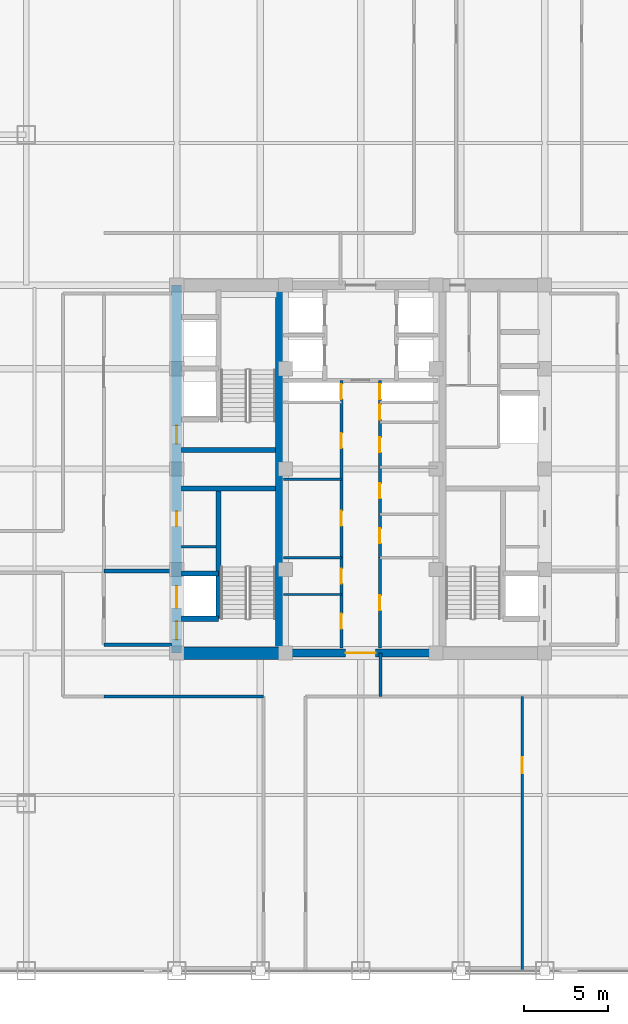
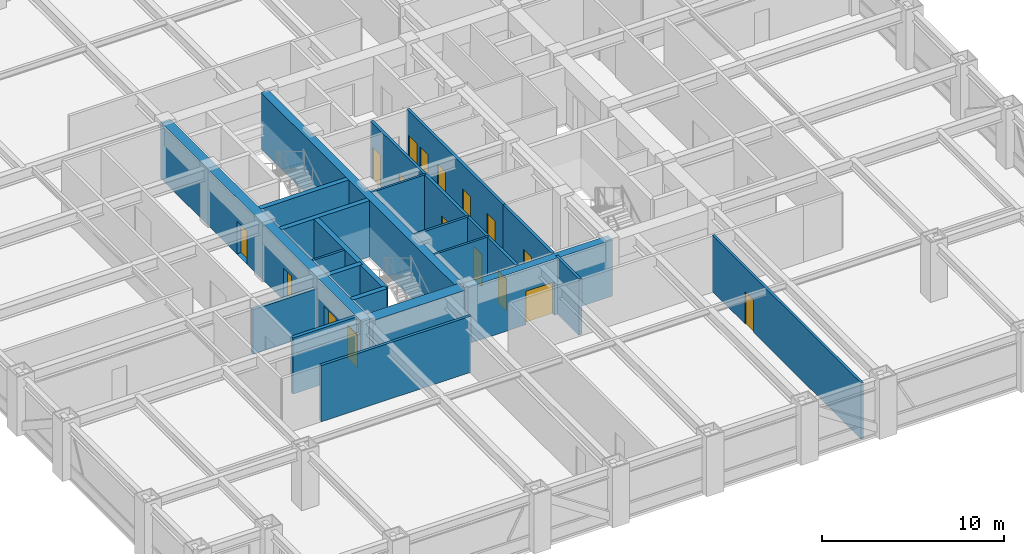
# One storey, part 20 of 24: 22 walls, 17 doors, 17 openings.
"""IFC4 building model written with IfcOpenShell, lengths in metres."""

from ifc_helpers import new_model, si_unit, direction, frame, frame_2d, origin, place, context, subcontext, project, spatial, rectangle, extrude, source, transform, mapped, material, layer, layer_set, type_object, element, fill, save


model = new_model("IFC4")

# Units and contexts
model_context = context("Model", 3, precision=1e-05, world=origin(), true_north=direction((0.0, 1.0)))
body_context = subcontext(model_context, "Body", "Model", "MODEL_VIEW")
ifc_project = project(units=[si_unit("LENGTHUNIT", "METRE"), si_unit("AREAUNIT", "SQUARE_METRE"), si_unit("VOLUMEUNIT", "CUBIC_METRE"), si_unit("PLANEANGLEUNIT", "RADIAN"), si_unit("MASSUNIT", "GRAM", prefix="KILO")], contexts=[model_context])

# Site, building, storey
site_placement = place(None, origin())
site = spatial("IfcSite", under=ifc_project, at=site_placement, CompositionType="ELEMENT")
building_placement = place(site_placement, origin())
building = spatial("IfcBuilding", under=site, at=building_placement, Name="Khorayat Bourse Tower", CompositionType="ELEMENT")
storey_placement = place(building_placement, frame((0.0, 0.0, 167.10009765625)))
storey = spatial("IfcBuildingStorey", under=building, at=storey_placement, Name="L38", CompositionType="ELEMENT", Elevation=167.10009765625)

# Wall, openings, doors
ifc_material_1 = material(Name="Concrete C60/75", Category="concrete")
ifc_layer_1 = layer(ifc_material_1, 0.60009765625)
ifc_layer_set_1 = layer_set([ifc_layer_1], Name="Concrete C60/75")
wall_type_1 = type_object("IfcWallType", Name="WAL-CORE-600", PredefinedType="SHEAR", material=ifc_layer_set_1)
shared_shape_1 = source(origin(), body_context, "Body", "SweptSolid", [
    extrude(rectangle(XDim=22.0, YDim=0.60009765625, at=frame_2d((11.0, 0.0))), origin(), (0.0, 0.0, 1.0), 3.77978515625),
])
wall_1_placement = place(storey_placement, frame((-11.0, -11.0, 0.0), z_axis=(0.0, 0.0, 1.0), x_axis=(0.0, 1.0, 0.0)))
wall_1 = element("IfcWall", 1, at=wall_1_placement, inside=storey, type_object=wall_type_1, Name="L38 Core Shear Wall CORE-W", PredefinedType="SHEAR", context=body_context, shape_type="MappedRepresentation", body=[
    mapped(shared_shape_1, transform((0.0, 0.0, 0.0), scale=1.0)),
])
shared_shape_2 = source(origin(), body_context, "Body", "SweptSolid", [
    extrude(rectangle(XDim=1.10009765625, YDim=2.199951171875, at=frame_2d((0.550048828125, 1.10009765625))), frame((0.0, 0.31005859375, 0.0), z_axis=(0.0, -1.0, 0.0), x_axis=(1.0, 0.0, 0.0)), (0.0, 0.0, 1.0), 0.6201171875),
])
opening_1_placement = place(wall_1_placement, frame((0.800048828125, 0.0, 0.0)))
opening_1 = element("IfcOpeningElement", 2, at=opening_1_placement, cuts=wall_1, Name="Opening DI-01", PredefinedType="OPENING", context=body_context, shape_type="MappedRepresentation", body=[
    mapped(shared_shape_2, transform((0.0, 0.0, 0.0), scale=1.0)),
])
opening_2_placement = place(wall_1_placement, frame((12.5, 0.0, 0.0)))
opening_2 = element("IfcOpeningElement", 3, at=opening_2_placement, cuts=wall_1, Name="Opening DI-01", PredefinedType="OPENING", context=body_context, shape_type="MappedRepresentation", body=[
    mapped(shared_shape_2, transform((0.0, 0.0, 0.0), scale=1.0)),
])
shared_shape_3 = source(origin(), body_context, "Body", "SweptSolid", [
    extrude(rectangle(XDim=0.89990234375, YDim=2.14990234375, at=frame_2d((0.449951171875, 1.074951171875))), frame((0.0, 0.31005859375, 0.0), z_axis=(0.0, -1.0, 0.0), x_axis=(1.0, 0.0, 0.0)), (0.0, 0.0, 1.0), 0.6201171875),
])
opening_3_placement = place(wall_1_placement, frame((7.574951171875, 0.0, 0.0)))
opening_3 = element("IfcOpeningElement", 4, at=opening_3_placement, cuts=wall_1, Name="Opening DI-06", PredefinedType="OPENING", context=body_context, shape_type="MappedRepresentation", body=[
    mapped(shared_shape_3, transform((0.0, 0.0, 0.0), scale=1.0)),
])
shared_shape_4 = source(origin(), body_context, "Body", "SweptSolid", [
    extrude(rectangle(XDim=1.300048828125, YDim=2.300048828125, at=frame_2d((0.64990234375, 1.14990234375))), frame((0.0, 0.31005859375, 0.0), z_axis=(0.0, -1.0, 0.0), x_axis=(1.0, 0.0, 0.0)), (0.0, 0.0, 1.0), 0.6201171875),
])
opening_4_placement = place(wall_1_placement, frame((2.699951171875, 0.0, 0.0)))
opening_4 = element("IfcOpeningElement", 5, at=opening_4_placement, cuts=wall_1, Name="Opening LD-02", PredefinedType="OPENING", context=body_context, shape_type="MappedRepresentation", body=[
    mapped(shared_shape_4, transform((0.0, 0.0, 0.0), scale=1.0)),
])
ifc_material_2 = material(Name="Fire-rated steel acoustic leaf", Category="steel")
door_type_1 = type_object("IfcDoorType", Name="DR-INT-STAIR-1100", OperationType="NOTDEFINED", PredefinedType="DOOR", material=ifc_material_2)
shared_shape_5 = source(origin(), body_context, "Body", "SweptSolid", [
    extrude(rectangle(XDim=1.10009765625, YDim=2.199951171875, at=frame_2d((0.550048828125, 1.10009765625))), frame((0.0, 0.02490234375, 0.0), z_axis=(0.0, -1.0, 0.0), x_axis=(1.0, 0.0, 0.0)), (0.0, 0.0, 1.0), 0.050048828125),
])
door_1_placement = place(opening_1_placement, origin())
door_1 = element("IfcDoor", 6, at=door_1_placement, inside=storey, type_object=door_type_1, Name="L38 Exit Stair 1 Door", OperationType="SINGLE_SWING_RIGHT", OverallHeight=2.199951171875, OverallWidth=1.10009765625, PredefinedType="DOOR", context=body_context, shape_type="MappedRepresentation", body=[
    mapped(shared_shape_5, transform((0.0, 0.0, 0.0), scale=1.0)),
])
fill(opening_1, door_1)
door_2_placement = place(opening_2_placement, origin())
door_2 = element("IfcDoor", 7, at=door_2_placement, inside=storey, type_object=door_type_1, Name="L38 Exit Stair 2 Door", OperationType="SINGLE_SWING_RIGHT", OverallHeight=2.199951171875, OverallWidth=1.10009765625, PredefinedType="DOOR", context=body_context, shape_type="MappedRepresentation", body=[
    mapped(shared_shape_5, transform((0.0, 0.0, 0.0), scale=1.0)),
])
fill(opening_2, door_2)
ifc_material_3 = material(Name="Moisture-resistant laminate washroom door")
door_type_2 = type_object("IfcDoorType", Name="DR-INT-WC-900", OperationType="NOTDEFINED", PredefinedType="DOOR", material=ifc_material_3)
shared_shape_6 = source(origin(), body_context, "Body", "SweptSolid", [
    extrude(rectangle(XDim=0.89990234375, YDim=2.14990234375, at=frame_2d((0.449951171875, 1.074951171875))), frame((0.0, 0.02490234375, 0.0), z_axis=(0.0, -1.0, 0.0), x_axis=(1.0, 0.0, 0.0)), (0.0, 0.0, 1.0), 0.050048828125),
])
door_3_placement = place(opening_3_placement, origin())
door_3 = element("IfcDoor", 8, at=door_3_placement, inside=storey, type_object=door_type_2, Name="L38 UPS Switch Plant Room Door", OperationType="SINGLE_SWING_RIGHT", OverallHeight=2.14990234375, OverallWidth=0.89990234375, PredefinedType="DOOR", context=body_context, shape_type="MappedRepresentation", body=[
    mapped(shared_shape_6, transform((0.0, 0.0, 0.0), scale=1.0)),
])
fill(opening_3, door_3)
ifc_material_4 = material(Name="Fire-rated stainless-steel sliding landing door", Category="steel")
door_type_3 = type_object("IfcDoorType", Name="DR-LIFT-FF-1300", OperationType="NOTDEFINED", PredefinedType="DOOR", material=ifc_material_4)
shared_shape_7 = source(origin(), body_context, "Body", "SweptSolid", [
    extrude(rectangle(XDim=1.300048828125, YDim=2.300048828125, at=frame_2d((0.64990234375, 1.14990234375))), frame((0.0, 0.02490234375, 0.0), z_axis=(0.0, -1.0, 0.0), x_axis=(1.0, 0.0, 0.0)), (0.0, 0.0, 1.0), 0.050048828125),
])
door_4_placement = place(opening_4_placement, origin())
door_4 = element("IfcDoor", 9, at=door_4_placement, inside=storey, type_object=door_type_3, Name="L38 Lift FFL-01 Sliding Landing Door", OperationType="SLIDING_TO_LEFT", OverallHeight=2.300048828125, OverallWidth=1.300048828125, PredefinedType="DOOR", context=body_context, shape_type="MappedRepresentation", body=[
    mapped(shared_shape_7, transform((0.0, 0.0, 0.0), scale=1.0)),
])
fill(opening_4, door_4)

# Walls
ifc_material_5 = material(Name="Concrete C52/65", Category="concrete")
ifc_layer_2 = layer(ifc_material_5, 0.5)
ifc_layer_set_2 = layer_set([ifc_layer_2], Name="Concrete C52/65")
wall_type_2 = type_object("IfcWallType", Name="WAL-CORE-500", PredefinedType="SHEAR", material=ifc_layer_set_2)
shared_shape_8 = source(origin(), body_context, "Body", "SweptSolid", [
    extrude(rectangle(XDim=21.39990234375, YDim=0.5, at=frame_2d((10.699951171875, 0.0))), origin(), (0.0, 0.0, 1.0), 3.77978515625),
])
wall_2_placement = place(storey_placement, frame((-4.85009765625, -10.699951171875, 0.0), z_axis=(0.0, 0.0, 1.0), x_axis=(0.0, 1.0, 0.0)))
element("IfcWall", 10, at=wall_2_placement, inside=storey, type_object=wall_type_2, Name="L38 Core Shear Wall PIER-W", PredefinedType="SHEAR", context=body_context, shape_type="MappedRepresentation", body=[
    mapped(shared_shape_8, transform((0.0, 0.0, 0.0), scale=1.0)),
])
ifc_material_6 = material(Name="Concrete C72/90", Category="concrete")
ifc_layer_3 = layer(ifc_material_6, 0.75)
ifc_layer_set_3 = layer_set([ifc_layer_3], Name="Concrete C72/90")
wall_type_3 = type_object("IfcWallType", Name="WAL-CORE-750", PredefinedType="SHEAR", material=ifc_layer_set_3)
shared_shape_9 = source(origin(), body_context, "Body", "SweptSolid", [
    extrude(rectangle(XDim=5.849853515625, YDim=0.75, at=frame_2d((2.9248046875, 0.0))), origin(), (0.0, 0.0, 1.0), 3.77978515625),
])
wall_3_placement = place(storey_placement, frame((-10.699951171875, -11.0, 0.0), z_axis=(0.0, 0.0, 1.0), x_axis=(1.0, 0.0, 0.0)))
element("IfcWall", 11, at=wall_3_placement, inside=storey, type_object=wall_type_3, Name="L38 Core Shear Wall PIER-WS", PredefinedType="SHEAR", context=body_context, shape_type="MappedRepresentation", body=[
    mapped(shared_shape_9, transform((0.0, 0.0, 0.0), scale=1.0)),
])
ifc_material_7 = material(Name="Concrete C50/60", Category="concrete")
ifc_layer_4 = layer(ifc_material_7, 0.300048828125)
ifc_layer_set_4 = layer_set([ifc_layer_4], Name="Concrete C50/60")
wall_type_4 = type_object("IfcWallType", Name="WAL-SHAFT-300", PredefinedType="SHEAR", material=ifc_layer_set_4)
shared_shape_10 = source(origin(), body_context, "Body", "SweptSolid", [
    extrude(rectangle(XDim=5.599853515625, YDim=0.300048828125, at=frame_2d((2.7998046875, 0.0))), origin(), (0.0, 0.0, 1.0), 3.77978515625),
])
for number, where, z_axis, x_axis, name in (
    (12, (-10.699951171875, -1.14990234375, 0.0), (0.0, 0.0, 1.0), (1.0, 0.0, 0.0), "L38 Core Shear Wall ST1-DIV"),
    (13, (-10.699951171875, 1.14990234375, 0.0), (0.0, 0.0, 1.0), (1.0, 0.0, 0.0), "L38 Core Shear Wall ST2-DIV"),
):
    element("IfcWall", number, at=place(storey_placement, frame(where, z_axis=z_axis, x_axis=x_axis)), inside=storey, type_object=wall_type_4, Name=name, PredefinedType="SHEAR", context=body_context, shape_type="MappedRepresentation", body=[
        mapped(shared_shape_10, transform((0.0, 0.0, 0.0), scale=1.0)),
    ])

# Wall, opening, door
shared_shape_11 = source(origin(), body_context, "Body", "SweptSolid", [
    extrude(rectangle(XDim=9.2001953125, YDim=0.5, at=frame_2d((4.60009765625, 0.0))), origin(), (0.0, 0.0, 1.0), 3.77978515625),
])
wall_4_placement = place(storey_placement, frame((-4.60009765625, -11.0, 0.0), z_axis=(0.0, 0.0, 1.0), x_axis=(1.0, 0.0, 0.0)))
wall_4 = element("IfcWall", 14, at=wall_4_placement, inside=storey, type_object=wall_type_2, Name="L38 Core Shear Wall CORE-S", PredefinedType="SHEAR", context=body_context, shape_type="MappedRepresentation", body=[
    mapped(shared_shape_11, transform((0.0, 0.0, 0.0), scale=1.0)),
])
shared_shape_12 = source(origin(), body_context, "Body", "SweptSolid", [
    extrude(rectangle(XDim=1.800048828125, YDim=2.25, at=frame_2d((0.89990234375, 1.125))), frame((0.0, 0.260009765625, 0.0), z_axis=(0.0, -1.0, 0.0), x_axis=(1.0, 0.0, 0.0)), (0.0, 0.0, 1.0), 0.52001953125),
])
opening_5_placement = place(wall_4_placement, frame((3.699951171875, 0.0, 0.0)))
opening_5 = element("IfcOpeningElement", 15, at=opening_5_placement, cuts=wall_4, Name="Opening DI-03", PredefinedType="OPENING", context=body_context, shape_type="MappedRepresentation", body=[
    mapped(shared_shape_12, transform((0.0, 0.0, 0.0), scale=1.0)),
])
ifc_material_8 = material(Name="Fire-rated hardwood vision-panel double leaf", Category="wood")
door_type_4 = type_object("IfcDoorType", Name="DR-INT-CORR-1800", OperationType="NOTDEFINED", PredefinedType="DOOR", material=ifc_material_8)
shared_shape_13 = source(origin(), body_context, "Body", "SweptSolid", [
    extrude(rectangle(XDim=1.800048828125, YDim=2.25, at=frame_2d((0.89990234375, 1.125))), frame((0.0, 0.02490234375, 0.0), z_axis=(0.0, -1.0, 0.0), x_axis=(1.0, 0.0, 0.0)), (0.0, 0.0, 1.0), 0.050048828125),
])
door_5_placement = place(opening_5_placement, origin())
door_5 = element("IfcDoor", 16, at=door_5_placement, inside=storey, type_object=door_type_4, Name="L38 Central Core South Passage Door", OperationType="SINGLE_SWING_LEFT", OverallHeight=2.25, OverallWidth=1.800048828125, PredefinedType="DOOR", context=body_context, shape_type="MappedRepresentation", body=[
    mapped(shared_shape_13, transform((0.0, 0.0, 0.0), scale=1.0)),
])
fill(opening_5, door_5)

# Walls
shared_shape_14 = source(origin(), body_context, "Body", "SweptSolid", [
    extrude(rectangle(XDim=7.800048828125, YDim=0.300048828125, at=frame_2d((3.89990234375, 0.0))), origin(), (0.0, 0.0, 1.0), 3.77978515625),
])
wall_5_placement = place(storey_placement, frame((-8.5, -8.949951171875, 0.0), z_axis=(0.0, 0.0, 1.0), x_axis=(0.0, 1.0, 0.0)))
element("IfcWall", 17, at=wall_5_placement, inside=storey, type_object=wall_type_4, Name="L38 Partition WAL-L38-WPIER-SP", PredefinedType="SHEAR", context=body_context, shape_type="MappedRepresentation", body=[
    mapped(shared_shape_14, transform((0.0, 0.0, 0.0), scale=1.0)),
])
shared_shape_15 = source(origin(), body_context, "Body", "SweptSolid", [
    extrude(rectangle(XDim=2.199951171875, YDim=0.300048828125, at=frame_2d((1.10009765625, 0.0))), origin(), (0.0, 0.0, 1.0), 3.77978515625),
])
for number, where, z_axis, x_axis, name in (
    (18, (-10.699951171875, -8.949951171875, 0.0), (0.0, 0.0, 1.0), (1.0, 0.0, 0.0), "L38 Partition WAL-L38-WPIER-FF1S"),
    (19, (-10.699951171875, -6.25, 0.0), (0.0, 0.0, 1.0), (1.0, 0.0, 0.0), "L38 Partition WAL-L38-WPIER-FF1N"),
):
    element("IfcWall", number, at=place(storey_placement, frame(where, z_axis=z_axis, x_axis=x_axis)), inside=storey, type_object=wall_type_4, Name=name, PredefinedType="SHEAR", context=body_context, shape_type="MappedRepresentation", body=[
        mapped(shared_shape_15, transform((0.0, 0.0, 0.0), scale=1.0)),
    ])
ifc_material_9 = material(Name="Gypsum plasterboard twin-frame partition")
ifc_layer_5 = layer(ifc_material_9, 0.14990234375)
ifc_layer_set_5 = layer_set([ifc_layer_5], Name="Gypsum plasterboard twin-frame partition")
wall_type_5 = type_object("IfcWallType", Name="WAL-PART-SUITE-150", PredefinedType="PARTITIONING", material=ifc_layer_set_5)
shared_shape_16 = source(origin(), body_context, "Body", "SweptSolid", [
    extrude(rectangle(XDim=2.050048828125, YDim=0.14990234375, at=frame_2d((1.02490234375, 0.0))), origin(), (0.0, 0.0, 1.0), 3.77978515625),
])
wall_6_placement = place(storey_placement, frame((-10.699951171875, -4.64990234375, 0.0), z_axis=(0.0, 0.0, 1.0), x_axis=(1.0, 0.0, 0.0)))
element("IfcWall", 20, at=wall_6_placement, inside=storey, type_object=wall_type_5, Name="L38 Partition WAL-L38-WSRV-S0", PredefinedType="PARTITIONING", context=body_context, shape_type="MappedRepresentation", body=[
    mapped(shared_shape_16, transform((0.0, 0.0, 0.0), scale=1.0)),
])
ifc_material_10 = material(Name="Aerated concrete blockwork", Category="masonry")
ifc_layer_6 = layer(ifc_material_10, 0.219970703125)
ifc_layer_set_6 = layer_set([ifc_layer_6], Name="Aerated concrete blockwork")
wall_type_6 = type_object("IfcWallType", Name="WAL-PART-FF-220", PredefinedType="PARTITIONING", material=ifc_layer_set_6)
shared_shape_17 = source(origin(), body_context, "Body", "SweptSolid", [
    extrude(rectangle(XDim=4.050048828125, YDim=0.219970703125, at=frame_2d((2.02490234375, 0.0))), origin(), (0.0, 0.0, 1.0), 3.77978515625),
])
wall_7_placement = place(storey_placement, frame((-15.35009765625, -10.5, 0.0), z_axis=(0.0, 0.0, 1.0), x_axis=(1.0, 0.0, 0.0)))
element("IfcWall", 21, at=wall_7_placement, inside=storey, type_object=wall_type_6, Name="L38 Partition WAL-L38-FFLW-S", PredefinedType="PARTITIONING", context=body_context, shape_type="MappedRepresentation", body=[
    mapped(shared_shape_17, transform((0.0, 0.0, 0.0), scale=1.0)),
])
shared_shape_18 = source(origin(), body_context, "Body", "SweptSolid", [
    extrude(rectangle(XDim=4.050048828125, YDim=0.219970703125, at=frame_2d((2.02490234375, 0.0))), origin(), (0.0, 0.0, 1.0), 3.0068359375),
])
wall_8_placement = place(storey_placement, frame((-15.35009765625, -6.10009765625, 0.0), z_axis=(0.0, 0.0, 1.0), x_axis=(1.0, 0.0, 0.0)))
element("IfcWall", 22, at=wall_8_placement, inside=storey, type_object=wall_type_6, Name="L38 Partition WAL-L38-FFLW-N", PredefinedType="PARTITIONING", context=body_context, shape_type="MappedRepresentation", body=[
    mapped(shared_shape_18, transform((0.0, 0.0, 0.0), scale=1.0)),
])
shared_shape_19 = source(origin(), body_context, "Body", "SweptSolid", [
    extrude(rectangle(XDim=3.4501953125, YDim=0.14990234375, at=frame_2d((1.72509765625, 0.0))), origin(), (0.0, 0.0, 1.0), 3.77978515625),
])
wall_9_placement = place(storey_placement, frame((-4.60009765625, -5.300048828125, 0.0), z_axis=(0.0, 0.0, 1.0), x_axis=(1.0, 0.0, 0.0)))
element("IfcWall", 23, at=wall_9_placement, inside=storey, type_object=wall_type_5, Name="L38 Partition WAL-L38-FB1-NW", PredefinedType="PARTITIONING", context=body_context, shape_type="MappedRepresentation", body=[
    mapped(shared_shape_19, transform((0.0, 0.0, 0.0), scale=1.0)),
])
ifc_material_11 = material(Name="Moisture-resistant masonry partition", Category="masonry")
ifc_layer_7 = layer(ifc_material_11, 0.139892578125)
ifc_layer_set_7 = layer_set([ifc_layer_7], Name="Moisture-resistant masonry partition")
wall_type_7 = type_object("IfcWallType", Name="WAL-PART-WET-140", PredefinedType="PARTITIONING", material=ifc_layer_set_7)
shared_shape_20 = source(origin(), body_context, "Body", "SweptSolid", [
    extrude(rectangle(XDim=3.4501953125, YDim=0.139892578125, at=frame_2d((1.72509765625, 0.0))), origin(), (0.0, 0.0, 1.0), 3.77978515625),
])
for number, where, z_axis, x_axis, name in (
    (24, (-4.60009765625, -7.5, 0.0), (0.0, 0.0, 1.0), (1.0, 0.0, 0.0), "L38 Partition WAL-L38-FB1W-D1"),
    (25, (-4.60009765625, -0.60009765625, 0.0), (0.0, 0.0, 1.0), (1.0, 0.0, 0.0), "L38 Partition WAL-L38-CMW-D1"),
):
    element("IfcWall", number, at=place(storey_placement, frame(where, z_axis=z_axis, x_axis=x_axis)), inside=storey, type_object=wall_type_7, Name=name, PredefinedType="PARTITIONING", context=body_context, shape_type="MappedRepresentation", body=[
        mapped(shared_shape_20, transform((0.0, 0.0, 0.0), scale=1.0)),
    ])

# Wall, openings, doors
ifc_material_12 = material(Name="Gypsum plasterboard acoustic stud wall")
ifc_layer_8 = layer(ifc_material_12, 0.179931640625)
ifc_layer_set_8 = layer_set([ifc_layer_8], Name="Gypsum plasterboard acoustic stud wall")
wall_type_8 = type_object("IfcWallType", Name="WAL-PART-CORR-180", PredefinedType="PARTITIONING", material=ifc_layer_set_8)
shared_shape_21 = source(origin(), body_context, "Body", "SweptSolid", [
    extrude(rectangle(XDim=5.39990234375, YDim=0.179931640625, at=frame_2d((2.699951171875, 0.0))), origin(), (0.0, 0.0, 1.0), 3.77978515625),
])
wall_10_placement = place(storey_placement, frame((-1.14990234375, -10.699951171875, 0.0), z_axis=(0.0, 0.0, 1.0), x_axis=(0.0, 1.0, 0.0)))
wall_10 = element("IfcWall", 26, at=wall_10_placement, inside=storey, type_object=wall_type_8, Name="L38 Partition WAL-L38-FB1W-L", PredefinedType="PARTITIONING", context=body_context, shape_type="MappedRepresentation", body=[
    mapped(shared_shape_21, transform((0.0, 0.0, 0.0), scale=1.0)),
])
shared_shape_22 = source(origin(), body_context, "Body", "SweptSolid", [
    extrude(rectangle(XDim=0.89990234375, YDim=2.14990234375, at=frame_2d((0.449951171875, 1.074951171875))), frame((0.0, 0.099853515625, 0.0), z_axis=(0.0, -1.0, 0.0), x_axis=(1.0, 0.0, 0.0)), (0.0, 0.0, 1.0), 0.199951171875),
])
opening_6_placement = place(wall_10_placement, frame((1.14990234375, 0.0, 0.0)))
opening_6 = element("IfcOpeningElement", 27, at=opening_6_placement, cuts=wall_10, Name="Opening DI-06", PredefinedType="OPENING", context=body_context, shape_type="MappedRepresentation", body=[
    mapped(shared_shape_22, transform((0.0, 0.0, 0.0), scale=1.0)),
])
opening_7_placement = place(wall_10_placement, frame((3.85009765625, 0.0, 0.0)))
opening_7 = element("IfcOpeningElement", 28, at=opening_7_placement, cuts=wall_10, Name="Opening DI-06", PredefinedType="OPENING", context=body_context, shape_type="MappedRepresentation", body=[
    mapped(shared_shape_22, transform((0.0, 0.0, 0.0), scale=1.0)),
])
door_6_placement = place(opening_6_placement, origin())
door_6 = element("IfcDoor", 29, at=door_6_placement, inside=storey, type_object=door_type_2, Name="L38 Records Vault Store Door", OperationType="SINGLE_SWING_RIGHT", OverallHeight=2.14990234375, OverallWidth=0.89990234375, PredefinedType="DOOR", context=body_context, shape_type="MappedRepresentation", body=[
    mapped(shared_shape_6, transform((0.0, 0.0, 0.0), scale=1.0)),
])
fill(opening_6, door_6)
door_7_placement = place(opening_7_placement, origin())
door_7 = element("IfcDoor", 30, at=door_7_placement, inside=storey, type_object=door_type_2, Name="L38 Sprinkler Valve Plant Room Door", OperationType="SINGLE_SWING_LEFT", OverallHeight=2.14990234375, OverallWidth=0.89990234375, PredefinedType="DOOR", context=body_context, shape_type="MappedRepresentation", body=[
    mapped(shared_shape_6, transform((0.0, 0.0, 0.0), scale=1.0)),
])
fill(opening_7, door_7)

# Wall, opening, door
wall_11_placement = place(storey_placement, frame((1.14990234375, -10.699951171875, 0.0), z_axis=(0.0, 0.0, 1.0), x_axis=(0.0, 1.0, 0.0)))
wall_11 = element("IfcWall", 31, at=wall_11_placement, inside=storey, type_object=wall_type_8, Name="L38 Partition WAL-L38-FB1E-L", PredefinedType="PARTITIONING", context=body_context, shape_type="MappedRepresentation", body=[
    mapped(shared_shape_21, transform((0.0, 0.0, 0.0), scale=1.0)),
])
opening_8_placement = place(wall_11_placement, frame((2.25, 0.0, 0.0)))
opening_8 = element("IfcOpeningElement", 32, at=opening_8_placement, cuts=wall_11, Name="Opening DI-06", PredefinedType="OPENING", context=body_context, shape_type="MappedRepresentation", body=[
    mapped(shared_shape_22, transform((0.0, 0.0, 0.0), scale=1.0)),
])
door_8_placement = place(opening_8_placement, origin())
door_8 = element("IfcDoor", 33, at=door_8_placement, inside=storey, type_object=door_type_2, Name="L38 Telemetry Server Plant Room Door", OperationType="SINGLE_SWING_RIGHT", OverallHeight=2.14990234375, OverallWidth=0.89990234375, PredefinedType="DOOR", context=body_context, shape_type="MappedRepresentation", body=[
    mapped(shared_shape_6, transform((0.0, 0.0, 0.0), scale=1.0)),
])
fill(opening_8, door_8)

# Wall, openings, doors
shared_shape_23 = source(origin(), body_context, "Body", "SweptSolid", [
    extrude(rectangle(XDim=10.60009765625, YDim=0.179931640625, at=frame_2d((5.300048828125, 0.0))), origin(), (0.0, 0.0, 1.0), 3.77978515625),
])
wall_12_placement = place(storey_placement, frame((-1.14990234375, -5.300048828125, 0.0), z_axis=(0.0, 0.0, 1.0), x_axis=(0.0, 1.0, 0.0)))
wall_12 = element("IfcWall", 34, at=wall_12_placement, inside=storey, type_object=wall_type_8, Name="L38 Partition WAL-L38-CMW-L", PredefinedType="PARTITIONING", context=body_context, shape_type="MappedRepresentation", body=[
    mapped(shared_shape_23, transform((0.0, 0.0, 0.0), scale=1.0)),
])
opening_9_placement = place(wall_12_placement, frame((1.89990234375, 0.0, 0.0)))
opening_9 = element("IfcOpeningElement", 35, at=opening_9_placement, cuts=wall_12, Name="Opening DI-06", PredefinedType="OPENING", context=body_context, shape_type="MappedRepresentation", body=[
    mapped(shared_shape_22, transform((0.0, 0.0, 0.0), scale=1.0)),
])
opening_10_placement = place(wall_12_placement, frame((6.550048828125, 0.0, 0.0)))
opening_10 = element("IfcOpeningElement", 36, at=opening_10_placement, cuts=wall_12, Name="Opening DI-06", PredefinedType="OPENING", context=body_context, shape_type="MappedRepresentation", body=[
    mapped(shared_shape_22, transform((0.0, 0.0, 0.0), scale=1.0)),
])
opening_11_placement = place(wall_12_placement, frame((9.47509765625, 0.0, 0.0)))
opening_11 = element("IfcOpeningElement", 37, at=opening_11_placement, cuts=wall_12, Name="Opening DI-06", PredefinedType="OPENING", context=body_context, shape_type="MappedRepresentation", body=[
    mapped(shared_shape_22, transform((0.0, 0.0, 0.0), scale=1.0)),
])
door_9_placement = place(opening_9_placement, origin())
door_9 = element("IfcDoor", 38, at=door_9_placement, inside=storey, type_object=door_type_2, Name="L38 Male Core Washroom Door", OperationType="SINGLE_SWING_RIGHT", OverallHeight=2.14990234375, OverallWidth=0.89990234375, PredefinedType="DOOR", context=body_context, shape_type="MappedRepresentation", body=[
    mapped(shared_shape_6, transform((0.0, 0.0, 0.0), scale=1.0)),
])
fill(opening_9, door_9)
door_10_placement = place(opening_10_placement, origin())
door_10 = element("IfcDoor", 39, at=door_10_placement, inside=storey, type_object=door_type_2, Name="L38 Chilled Water Riser Plant Room Door", OperationType="SINGLE_SWING_LEFT", OverallHeight=2.14990234375, OverallWidth=0.89990234375, PredefinedType="DOOR", context=body_context, shape_type="MappedRepresentation", body=[
    mapped(shared_shape_6, transform((0.0, 0.0, 0.0), scale=1.0)),
])
fill(opening_10, door_10)
door_11_placement = place(opening_11_placement, origin())
door_11 = element("IfcDoor", 40, at=door_11_placement, inside=storey, type_object=door_type_2, Name="L38 West Core Riser Door", OperationType="SINGLE_SWING_LEFT", OverallHeight=2.14990234375, OverallWidth=0.89990234375, PredefinedType="DOOR", context=body_context, shape_type="MappedRepresentation", body=[
    mapped(shared_shape_6, transform((0.0, 0.0, 0.0), scale=1.0)),
])
fill(opening_11, door_11)

wall_13_placement = place(storey_placement, frame((1.14990234375, -5.300048828125, 0.0), z_axis=(0.0, 0.0, 1.0), x_axis=(0.0, 1.0, 0.0)))
wall_13 = element("IfcWall", 41, at=wall_13_placement, inside=storey, type_object=wall_type_8, Name="L38 Partition WAL-L38-CME-L", PredefinedType="PARTITIONING", context=body_context, shape_type="MappedRepresentation", body=[
    mapped(shared_shape_23, transform((0.0, 0.0, 0.0), scale=1.0)),
])
opening_12_placement = place(wall_13_placement, frame((0.85009765625, 0.0, 0.0)))
opening_12 = element("IfcOpeningElement", 42, at=opening_12_placement, cuts=wall_13, Name="Opening DI-06", PredefinedType="OPENING", context=body_context, shape_type="MappedRepresentation", body=[
    mapped(shared_shape_22, transform((0.0, 0.0, 0.0), scale=1.0)),
])
opening_13_placement = place(wall_13_placement, frame((3.550048828125, 0.0, 0.0)))
opening_13 = element("IfcOpeningElement", 43, at=opening_13_placement, cuts=wall_13, Name="Opening DI-06", PredefinedType="OPENING", context=body_context, shape_type="MappedRepresentation", body=[
    mapped(shared_shape_22, transform((0.0, 0.0, 0.0), scale=1.0)),
])
opening_14_placement = place(wall_13_placement, frame((6.300048828125, 0.0, 0.0)))
opening_14 = element("IfcOpeningElement", 44, at=opening_14_placement, cuts=wall_13, Name="Opening DI-06", PredefinedType="OPENING", context=body_context, shape_type="MappedRepresentation", body=[
    mapped(shared_shape_22, transform((0.0, 0.0, 0.0), scale=1.0)),
])
opening_15_placement = place(wall_13_placement, frame((8.25, 0.0, 0.0)))
opening_15 = element("IfcOpeningElement", 45, at=opening_15_placement, cuts=wall_13, Name="Opening DI-06", PredefinedType="OPENING", context=body_context, shape_type="MappedRepresentation", body=[
    mapped(shared_shape_22, transform((0.0, 0.0, 0.0), scale=1.0)),
])
opening_16_placement = place(wall_13_placement, frame((9.47509765625, 0.0, 0.0)))
opening_16 = element("IfcOpeningElement", 46, at=opening_16_placement, cuts=wall_13, Name="Opening DI-06", PredefinedType="OPENING", context=body_context, shape_type="MappedRepresentation", body=[
    mapped(shared_shape_22, transform((0.0, 0.0, 0.0), scale=1.0)),
])
door_12_placement = place(opening_12_placement, origin())
door_12 = element("IfcDoor", 47, at=door_12_placement, inside=storey, type_object=door_type_2, Name="L38 Female Core Washroom Door", OperationType="SINGLE_SWING_RIGHT", OverallHeight=2.14990234375, OverallWidth=0.89990234375, PredefinedType="DOOR", context=body_context, shape_type="MappedRepresentation", body=[
    mapped(shared_shape_6, transform((0.0, 0.0, 0.0), scale=1.0)),
])
fill(opening_12, door_12)
door_13_placement = place(opening_13_placement, origin())
door_13 = element("IfcDoor", 48, at=door_13_placement, inside=storey, type_object=door_type_2, Name="L38 Comms Patch Room Door", OperationType="SINGLE_SWING_LEFT", OverallHeight=2.14990234375, OverallWidth=0.89990234375, PredefinedType="DOOR", context=body_context, shape_type="MappedRepresentation", body=[
    mapped(shared_shape_6, transform((0.0, 0.0, 0.0), scale=1.0)),
])
fill(opening_13, door_13)
door_14_placement = place(opening_14_placement, origin())
door_14 = element("IfcDoor", 49, at=door_14_placement, inside=storey, type_object=door_type_2, Name="L38 Janitor Cupboard Door", OperationType="SINGLE_SWING_RIGHT", OverallHeight=2.14990234375, OverallWidth=0.89990234375, PredefinedType="DOOR", context=body_context, shape_type="MappedRepresentation", body=[
    mapped(shared_shape_6, transform((0.0, 0.0, 0.0), scale=1.0)),
])
fill(opening_14, door_14)
door_15_placement = place(opening_15_placement, origin())
door_15 = element("IfcDoor", 50, at=door_15_placement, inside=storey, type_object=door_type_2, Name="L38 Fire Valve Plant Room Door", OperationType="SINGLE_SWING_LEFT", OverallHeight=2.14990234375, OverallWidth=0.89990234375, PredefinedType="DOOR", context=body_context, shape_type="MappedRepresentation", body=[
    mapped(shared_shape_6, transform((0.0, 0.0, 0.0), scale=1.0)),
])
fill(opening_15, door_15)
door_16_placement = place(opening_16_placement, origin())
door_16 = element("IfcDoor", 51, at=door_16_placement, inside=storey, type_object=door_type_2, Name="L38 East Core Riser Door", OperationType="SINGLE_SWING_RIGHT", OverallHeight=2.14990234375, OverallWidth=0.89990234375, PredefinedType="DOOR", context=body_context, shape_type="MappedRepresentation", body=[
    mapped(shared_shape_6, transform((0.0, 0.0, 0.0), scale=1.0)),
])
fill(opening_16, door_16)

# Walls
shared_shape_24 = source(origin(), body_context, "Body", "SweptSolid", [
    extrude(rectangle(XDim=2.60009765625, YDim=0.179931640625, at=frame_2d((1.300048828125, 0.0))), origin(), (0.0, 0.0, 1.0), 3.77978515625),
])
wall_14_placement = place(storey_placement, frame((1.199951171875, -13.60009765625, 0.0), z_axis=(0.0, 0.0, 1.0), x_axis=(0.0, 1.0, 0.0)))
element("IfcWall", 52, at=wall_14_placement, inside=storey, type_object=wall_type_8, Name="L38 Partition WAL-L38-C2-SCE", PredefinedType="PARTITIONING", context=body_context, shape_type="MappedRepresentation", body=[
    mapped(shared_shape_24, transform((0.0, 0.0, 0.0), scale=1.0)),
])
shared_shape_25 = source(origin(), body_context, "Body", "SweptSolid", [
    extrude(rectangle(XDim=9.550048828125, YDim=0.179931640625, at=frame_2d((4.77490234375, 0.0))), origin(), (0.0, 0.0, 1.0), 3.77978515625),
])
wall_15_placement = place(storey_placement, frame((-15.35009765625, -13.60009765625, 0.0), z_axis=(0.0, 0.0, 1.0), x_axis=(1.0, 0.0, 0.0)))
element("IfcWall", 53, at=wall_15_placement, inside=storey, type_object=wall_type_8, Name="L38 Partition WAL-L38-QSW-HC", PredefinedType="PARTITIONING", context=body_context, shape_type="MappedRepresentation", body=[
    mapped(shared_shape_25, transform((0.0, 0.0, 0.0), scale=1.0)),
])

# Wall, opening, door
shared_shape_26 = source(origin(), body_context, "Body", "SweptSolid", [
    extrude(rectangle(XDim=16.39990234375, YDim=0.14990234375, at=frame_2d((8.199951171875, 0.0))), origin(), (0.0, 0.0, 1.0), 3.77978515625),
])
wall_16_placement = place(storey_placement, frame((9.659912109375, -30.0, 0.0), z_axis=(0.0, 0.0, 1.0), x_axis=(0.0, 1.0, 0.0)))
wall_16 = element("IfcWall", 54, at=wall_16_placement, inside=storey, type_object=wall_type_5, Name="L38 Partition WAL-L38-QSEDV-1", PredefinedType="PARTITIONING", context=body_context, shape_type="MappedRepresentation", body=[
    mapped(shared_shape_26, transform((0.0, 0.0, 0.0), scale=1.0)),
])
shared_shape_27 = source(origin(), body_context, "Body", "SweptSolid", [
    extrude(rectangle(XDim=0.949951171875, YDim=2.14990234375, at=frame_2d((0.47509765625, 1.074951171875))), frame((0.0, 0.0849609375, 0.0), z_axis=(0.0, -1.0, 0.0), x_axis=(1.0, 0.0, 0.0)), (0.0, 0.0, 1.0), 0.169921875),
])
opening_17_placement = place(wall_16_placement, frame((11.824951171875, 0.0, 0.0)))
opening_17 = element("IfcOpeningElement", 55, at=opening_17_placement, cuts=wall_16, Name="Opening DI-05", PredefinedType="OPENING", context=body_context, shape_type="MappedRepresentation", body=[
    mapped(shared_shape_27, transform((0.0, 0.0, 0.0), scale=1.0)),
])
ifc_material_13 = material(Name="Acoustic oak veneer office door")
door_type_5 = type_object("IfcDoorType", Name="DR-INT-OFFICE-950", OperationType="NOTDEFINED", PredefinedType="DOOR", material=ifc_material_13)
shared_shape_28 = source(origin(), body_context, "Body", "SweptSolid", [
    extrude(rectangle(XDim=0.949951171875, YDim=2.14990234375, at=frame_2d((0.47509765625, 1.074951171875))), frame((0.0, 0.02490234375, 0.0), z_axis=(0.0, -1.0, 0.0), x_axis=(1.0, 0.0, 0.0)), (0.0, 0.0, 1.0), 0.050048828125),
])
door_17_placement = place(opening_17_placement, origin())
door_17 = element("IfcDoor", 56, at=door_17_placement, inside=storey, type_object=door_type_5, Name="L38 South-East Suite Link 1", OperationType="SINGLE_SWING_RIGHT", OverallHeight=2.14990234375, OverallWidth=0.949951171875, PredefinedType="DOOR", context=body_context, shape_type="MappedRepresentation", body=[
    mapped(shared_shape_28, transform((0.0, 0.0, 0.0), scale=1.0)),
])
fill(opening_17, door_17)

save(model, "model.ifc")
